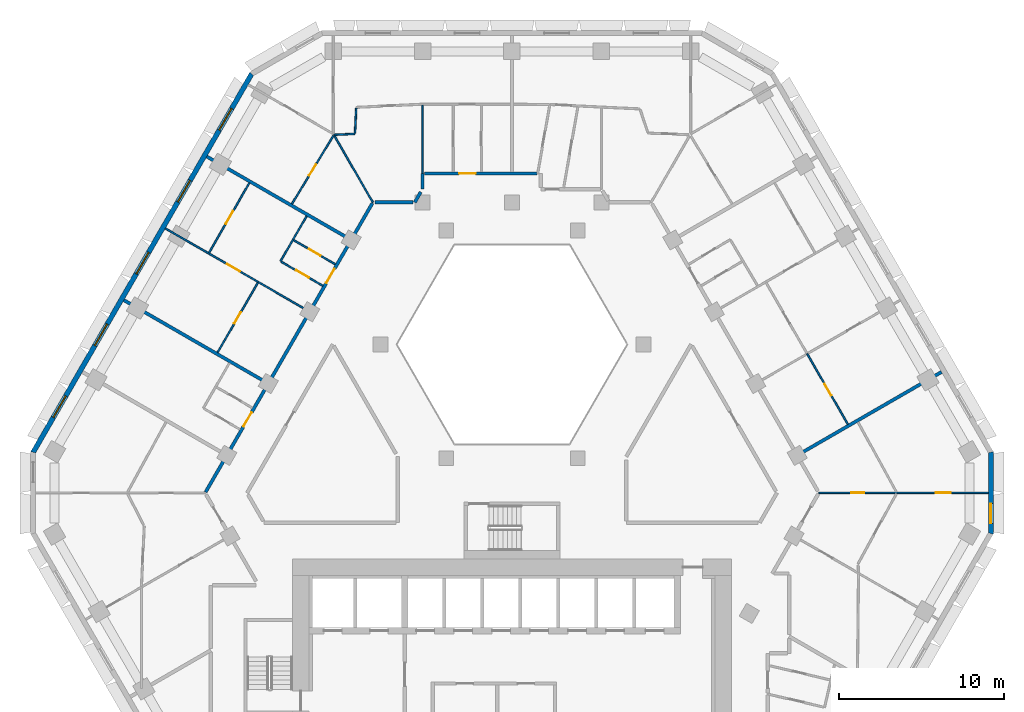
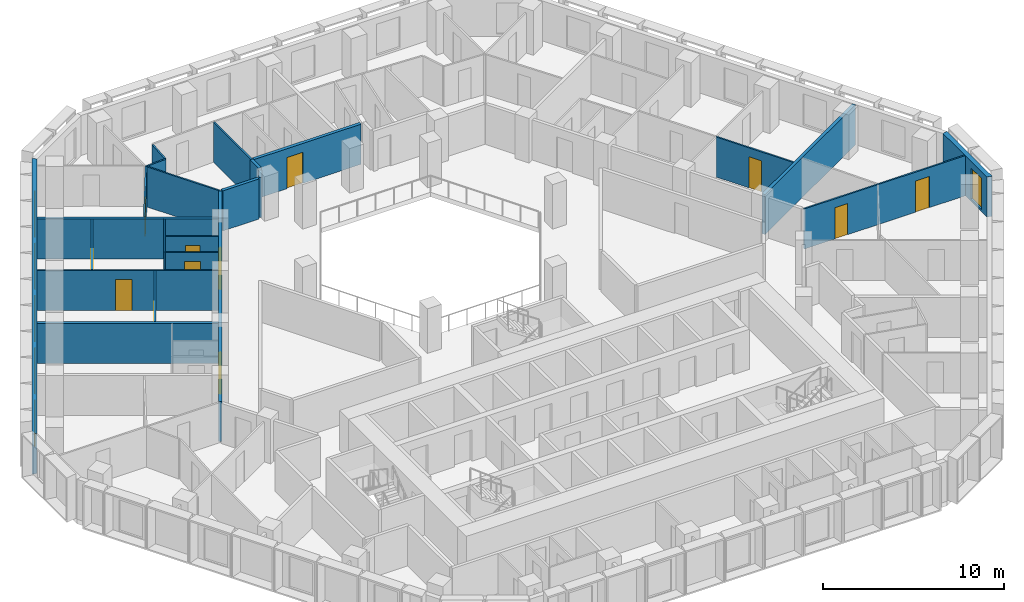
# One storey, part 7 of 15: 23 walls, 12 doors, 6 windows, 18 openings.
"""IFC4 building model written with IfcOpenShell, lengths in metres."""

import ifcopenshell
import ifcopenshell.guid

model = None  # the IFC model being written
_history = None  # IfcOwnerHistory: only IFC2X3 demands one
_inside = {}  # id of a spatial element -> (the spatial element, [elements in it])
_under = {}  # id of a project, library or spatial element -> (it, [spatial elements below it])
_declared = {}  # id of a project -> (the project, [libraries it declares])
_typed = {}  # id of a type object -> (the type object, [elements of that type])
_made_of = {}  # id of a material, layer set ... -> (it, [elements and type objects made of it])


def new_model(schema):
    """Start an empty IFC model of exactly this schema.

    Asked for "IFC4X3", IfcOpenShell would pick the latest addendum, in which some entities
    have other attributes; the version numbers below select the first issue.
    IFC2X3 requires an IfcOwnerHistory on every rooted entity: one is made here for all.
    """
    global model, _history
    if schema == "IFC4X3":
        model = ifcopenshell.file(schema_version=(4, 3, 0, 0))
    else:
        model = ifcopenshell.file(schema=schema)
    _inside.clear()
    _under.clear()
    _declared.clear()
    _typed.clear()
    _made_of.clear()
    _history = None
    if model.schema == "IFC2X3":
        org = make("IfcOrganization", Name="unknown")
        user = make(
            "IfcPersonAndOrganization",
            ThePerson=make("IfcPerson", FamilyName="unknown"),
            TheOrganization=org,
        )
        app = make(
            "IfcApplication",
            ApplicationDeveloper=org,
            Version="unknown",
            ApplicationFullName="unknown",
            ApplicationIdentifier="unknown",
        )
        _history = make(
            "IfcOwnerHistory",
            OwningUser=user,
            OwningApplication=app,
            ChangeAction="ADDED",
            CreationDate=0,
        )
    return model


def make(cls, **values):
    """One entity of the class cls with the attributes given. An attribute that is None is left unset."""
    return model.create_entity(
        cls, **{name: value for name, value in values.items() if value is not None}
    )


def rooted(cls, **values):
    """An entity with a GlobalId (a new one), such as an element, a storey or a relation."""
    return make(cls, GlobalId=ifcopenshell.guid.new(), OwnerHistory=_history, **values)


def si_unit(unit_type, name, prefix=None):
    """IfcSIUnit, for example si_unit("LENGTHUNIT", "METRE", prefix="MILLI")."""
    return make("IfcSIUnit", UnitType=unit_type, Prefix=prefix, Name=name)


def assignment(units):
    """IfcUnitAssignment: the units of a project."""
    return None if units is None else make("IfcUnitAssignment", Units=units)


def point(xyz):
    """IfcCartesianPoint."""
    return None if xyz is None else make("IfcCartesianPoint", Coordinates=xyz)


def direction(xyz):
    """IfcDirection."""
    return None if xyz is None else make("IfcDirection", DirectionRatios=xyz)


def frame(location, z_axis=None, x_axis=None):
    """IfcAxis2Placement3D, a coordinate frame: its origin and axes. An axis left out is left unset."""
    return make(
        "IfcAxis2Placement3D",
        Location=point(location),
        Axis=direction(z_axis),
        RefDirection=direction(x_axis),
    )


def frame_2d(location, x_axis=None):
    """IfcAxis2Placement2D, a coordinate frame in the plane: its origin and x axis."""
    return make(
        "IfcAxis2Placement2D", Location=point(location), RefDirection=direction(x_axis)
    )


def origin():
    """The frame at (0, 0, 0) with its axes left unset."""
    return frame((0.0, 0.0, 0.0))


def place(relative_to, where):
    """IfcLocalPlacement: puts the frame where relative to a parent placement (None: the world)."""
    return make(
        "IfcLocalPlacement", PlacementRelTo=relative_to, RelativePlacement=where
    )


def context(
    kind, dimensions, precision=None, world=None, true_north=None, identifier=None
):
    """IfcGeometricRepresentationContext, for example the 3D "Model" context."""
    return make(
        "IfcGeometricRepresentationContext",
        ContextIdentifier=identifier,
        ContextType=kind,
        CoordinateSpaceDimension=dimensions,
        Precision=precision,
        WorldCoordinateSystem=world,
        TrueNorth=true_north,
    )


def subcontext(parent, identifier, kind, view, scale=None):
    """IfcGeometricRepresentationSubContext, for example "Body" below "Model"."""
    return make(
        "IfcGeometricRepresentationSubContext",
        ContextIdentifier=identifier,
        ContextType=kind,
        ParentContext=parent,
        TargetScale=scale,
        TargetView=view,
    )


def project(units=None, contexts=None):
    """IfcProject with its units and contexts."""
    return rooted(
        "IfcProject",
        Name="project",
        RepresentationContexts=contexts,
        UnitsInContext=assignment(units),
    )


def spatial(cls, under=None, at=None, **own):
    """A site, building, storey or space (cls), placed at a placement, below another one or the project."""
    s = rooted(cls, ObjectPlacement=at, **own)
    if under is not None:
        _under.setdefault(under.id(), (under, []))[1].append(s)
    return s


def polyline(points):
    """IfcPolyline through the points."""
    return make("IfcPolyline", Points=[point(p) for p in points])


def profile(cls, at=None, kind="AREA", **sizes):
    """A parametric profile (cls). Its sizes go by their IFC names, for example OverallWidth=200.0."""
    return make(cls, ProfileType=kind, Position=at, **sizes)


def rectangle(**sizes):
    """IfcRectangleProfileDef."""
    return profile("IfcRectangleProfileDef", **sizes)


def outline(outer, holes=None, kind="AREA"):
    """IfcArbitraryClosedProfileDef: a profile drawn as a closed curve; with holes, ...WithVoids."""
    if holes is None:
        return make("IfcArbitraryClosedProfileDef", ProfileType=kind, OuterCurve=outer)
    return make(
        "IfcArbitraryProfileDefWithVoids",
        ProfileType=kind,
        OuterCurve=outer,
        InnerCurves=holes,
    )


def extrude(swept, where, along, depth):
    """IfcExtrudedAreaSolid: the profile swept, set in the frame where, extruded along a direction by depth."""
    return make(
        "IfcExtrudedAreaSolid",
        SweptArea=swept,
        Position=where,
        ExtrudedDirection=direction(along),
        Depth=depth,
    )


def shape(context_of_items, identifier, shape_type, items):
    """IfcShapeRepresentation: the items that make up one representation, for example the "Body"."""
    return make(
        "IfcShapeRepresentation",
        ContextOfItems=context_of_items,
        RepresentationIdentifier=identifier,
        RepresentationType=shape_type,
        Items=items,
    )


def material(Name=None, Category=None):
    """IfcMaterial."""
    return make("IfcMaterial", Name=Name, Category=Category)


def layer(
    of_material, thickness, ventilated=None, Name=None, Category=None, Priority=None
):
    """IfcMaterialLayer: one layer of a wall or slab, of a material (None: an air gap)."""
    return make(
        "IfcMaterialLayer",
        Material=of_material,
        LayerThickness=thickness,
        IsVentilated=ventilated,
        Name=Name,
        Category=Category,
        Priority=Priority,
    )


def layer_set(layers, Name=None):
    """IfcMaterialLayerSet."""
    return make("IfcMaterialLayerSet", MaterialLayers=layers, LayerSetName=Name)


def made_of(thing, what):
    """Note that an element or type object is made of a material, layer set ...; save() writes the relation."""
    if what is not None:
        _made_of.setdefault(what.id(), (what, []))[1].append(thing)
    return thing


def type_object(cls, material=None, **own):
    """A type object (cls), such as IfcWallType, which elements share."""
    return made_of(rooted(cls, **own), material)


def element(
    cls,
    number,
    at=None,
    inside=None,
    cuts=None,
    type_object=None,
    material=None,
    context=None,
    identifier="Body",
    shape_type=None,
    held_by="IfcProductDefinitionShape",
    body=None,
    shapes=None,
    **own,
):
    """One element of the class cls, such as IfcWall. Its Tag is "e" and its number.

    at: its placement. inside: the storey or other place that contains it. cuts: it is an
    opening in that element (IfcRelVoidsElement). A single representation is given by context,
    identifier, shape_type and body (its items); several are given by shapes. held_by: the class
    of the entity that holds the representations. save() writes the other relations.
    """
    e = rooted(cls, Tag="e%d" % number, ObjectPlacement=at, **own)
    if body is not None:
        shapes = [shape(context, identifier, shape_type, body)]
    if shapes is not None:
        e.Representation = make(held_by, Representations=shapes)
    if inside is not None:
        _inside.setdefault(inside.id(), (inside, []))[1].append(e)
    if cuts is not None:
        rooted(
            "IfcRelVoidsElement", RelatingBuildingElement=cuts, RelatedOpeningElement=e
        )
    if type_object is not None:
        _typed.setdefault(type_object.id(), (type_object, []))[1].append(e)
    return made_of(e, material)


def fill(opening, filler):
    """IfcRelFillsElement: the door or window that sits in an opening."""
    return rooted(
        "IfcRelFillsElement",
        RelatingOpeningElement=opening,
        RelatedBuildingElement=filler,
    )


def aggregate(whole, parts):
    """IfcRelAggregates: a whole, such as a stair, and the parts it consists of."""
    return rooted("IfcRelAggregates", RelatingObject=whole, RelatedObjects=parts)


def save(model, path):
    """Write the relations noted so far, then the file.

    IfcRelAggregates (storeys below a building ...), IfcRelContainedInSpatialStructure (elements
    in a storey), IfcRelDefinesByType, IfcRelAssociatesMaterial and IfcRelDeclares: one each for
    every whole, place, type object, material and project.
    """
    for whole, parts in _under.values():
        aggregate(whole, parts)
    for where, things in _inside.values():
        rooted(
            "IfcRelContainedInSpatialStructure",
            RelatedElements=things,
            RelatingStructure=where,
        )
    for kind, things in _typed.values():
        rooted("IfcRelDefinesByType", RelatedObjects=things, RelatingType=kind)
    for what, things in _made_of.values():
        rooted("IfcRelAssociatesMaterial", RelatedObjects=things, RelatingMaterial=what)
    for by, libraries in _declared.values():
        rooted("IfcRelDeclares", RelatingContext=by, RelatedDefinitions=libraries)
    model.write(path)


model = new_model("IFC4")

# Units and contexts
model_context = context("Model", 3, precision=1e-05, world=origin(), true_north=direction((0.0, 1.0)))
body_context = subcontext(model_context, "Body", "Model", "MODEL_VIEW")
ifc_project = project(units=[si_unit("LENGTHUNIT", "METRE"), si_unit("AREAUNIT", "SQUARE_METRE"), si_unit("VOLUMEUNIT", "CUBIC_METRE"), si_unit("PLANEANGLEUNIT", "RADIAN"), si_unit("MASSUNIT", "GRAM", prefix="KILO")], contexts=[model_context])

# Site, building, storey
site_placement = place(None, origin())
site = spatial("IfcSite", under=ifc_project, at=site_placement, CompositionType="ELEMENT")
building_placement = place(site_placement, origin())
building = spatial("IfcBuilding", under=site, at=building_placement, Name="Beryl Residences", CompositionType="ELEMENT")
storey_placement = place(building_placement, frame((0.0, 0.0, 78.0)))
storey = spatial("IfcBuildingStorey", under=building, at=storey_placement, Name="L23", CompositionType="ELEMENT", Elevation=78.0)

# Wall, openings, windows
ifc_material_1 = material(Name="Composite metal panel with mineral wool insulation")
ifc_layer_1 = layer(ifc_material_1, 0.300048828125)
ifc_layer_set_1 = layer_set([ifc_layer_1], Name="ES1 pale metal composite panel wall 300 mm")
wall_type_1 = type_object("IfcWallType", Name="ES1 pale metal composite panel wall 300 mm", PredefinedType="SOLIDWALL", material=ifc_layer_set_1)
wall_1_placement = place(storey_placement, frame((-15.7470703125, 24.425048828125, 0.0), z_axis=(0.0, 0.0, 1.0), x_axis=(-0.500027479704, -0.866009537788, 0.0)))
wall_1 = element("IfcWall", 1, at=wall_1_placement, inside=storey, type_object=wall_type_1, Name="ES1 external wall L23 NW", PredefinedType="SOLIDWALL", context=body_context, shape_type="SweptSolid", body=[
    extrude(outline(polyline([(0.0, -0.14990234375), (26.55859375, -0.14990234375), (26.478271484375, 0.14990234375), (0.080322265625, 0.14990234375), (0.0, -0.14990234375)])), origin(), (0.0, 0.0, 1.0), 2.699951171875),
])
opening_1_placement = place(wall_1_placement, frame((2.48291015625, 0.0, 0.14990234375)))
opening_1 = element("IfcOpeningElement", 2, at=opening_1_placement, cuts=wall_1, Name="Opening W1", PredefinedType="OPENING", context=body_context, shape_type="SweptSolid", body=[
    extrude(rectangle(XDim=1.5, YDim=2.10009765625, at=frame_2d((0.75, 1.050048828125))), frame((0.0, 0.159912109375, 0.0), z_axis=(0.0, -1.0, 0.0), x_axis=(1.0, 0.0, 0.0)), (0.0, 0.0, 1.0), 0.320068359375),
])
opening_2_placement = place(wall_1_placement, frame((7.506103515625, 0.0, 0.14990234375)))
opening_2 = element("IfcOpeningElement", 3, at=opening_2_placement, cuts=wall_1, Name="Opening W1", PredefinedType="OPENING", context=body_context, shape_type="SweptSolid", body=[
    extrude(rectangle(XDim=1.5, YDim=2.10009765625, at=frame_2d((0.75, 1.050048828125))), frame((0.0, 0.159912109375, 0.0), z_axis=(0.0, -1.0, 0.0), x_axis=(1.0, 0.0, 0.0)), (0.0, 0.0, 1.0), 0.320068359375),
])
opening_3_placement = place(wall_1_placement, frame((12.529052734375, 0.0, 0.14990234375)))
opening_3 = element("IfcOpeningElement", 4, at=opening_3_placement, cuts=wall_1, Name="Opening W1", PredefinedType="OPENING", context=body_context, shape_type="SweptSolid", body=[
    extrude(rectangle(XDim=1.5, YDim=2.10009765625, at=frame_2d((0.75, 1.050048828125))), frame((0.0, 0.159912109375, 0.0), z_axis=(0.0, -1.0, 0.0), x_axis=(1.0, 0.0, 0.0)), (0.0, 0.0, 1.0), 0.320068359375),
])
opening_4_placement = place(wall_1_placement, frame((17.552001953125, 0.0, 0.14990234375)))
opening_4 = element("IfcOpeningElement", 5, at=opening_4_placement, cuts=wall_1, Name="Opening W1", PredefinedType="OPENING", context=body_context, shape_type="SweptSolid", body=[
    extrude(rectangle(XDim=1.5, YDim=2.10009765625, at=frame_2d((0.75, 1.050048828125))), frame((0.0, 0.159912109375, 0.0), z_axis=(0.0, -1.0, 0.0), x_axis=(1.0, 0.0, 0.0)), (0.0, 0.0, 1.0), 0.320068359375),
])
opening_5_placement = place(wall_1_placement, frame((22.574951171875, 0.0, 0.14990234375)))
opening_5 = element("IfcOpeningElement", 6, at=opening_5_placement, cuts=wall_1, Name="Opening W1", PredefinedType="OPENING", context=body_context, shape_type="SweptSolid", body=[
    extrude(rectangle(XDim=1.5, YDim=2.10009765625, at=frame_2d((0.75, 1.050048828125))), frame((0.0, 0.159912109375, 0.0), z_axis=(0.0, -1.0, 0.0), x_axis=(1.0, 0.0, 0.0)), (0.0, 0.0, 1.0), 0.320068359375),
])
ifc_material_2 = material(Name="Aluminium and clear glass", Category="aluminium")
window_type_1 = type_object("IfcWindowType", Name="W1 cell window 1500 x 2100 mm", PartitioningType="SINGLE_PANEL", PredefinedType="WINDOW", material=ifc_material_2)
window_1_placement = place(opening_1_placement, origin())
window_1 = element("IfcWindow", 7, at=window_1_placement, inside=storey, type_object=window_type_1, Name="W1 window L23 NW 2", OverallHeight=2.10009765625, OverallWidth=1.5, PartitioningType="SINGLE_PANEL", PredefinedType="WINDOW", context=body_context, shape_type="SweptSolid", body=[
    extrude(rectangle(XDim=1.5, YDim=2.10009765625, at=frame_2d((0.75, 1.050048828125))), frame((0.0, 0.030029296875, 0.0), z_axis=(0.0, -1.0, 0.0), x_axis=(1.0, 0.0, 0.0)), (0.0, 0.0, 1.0), 0.06005859375),
])
fill(opening_1, window_1)
window_2_placement = place(opening_2_placement, origin())
window_2 = element("IfcWindow", 8, at=window_2_placement, inside=storey, type_object=window_type_1, Name="W1 window L23 NW 4", OverallHeight=2.10009765625, OverallWidth=1.5, PartitioningType="SINGLE_PANEL", PredefinedType="WINDOW", context=body_context, shape_type="SweptSolid", body=[
    extrude(rectangle(XDim=1.5, YDim=2.10009765625, at=frame_2d((0.75, 1.050048828125))), frame((0.0, 0.030029296875, 0.0), z_axis=(0.0, -1.0, 0.0), x_axis=(1.0, 0.0, 0.0)), (0.0, 0.0, 1.0), 0.06005859375),
])
fill(opening_2, window_2)
window_3_placement = place(opening_3_placement, origin())
window_3 = element("IfcWindow", 9, at=window_3_placement, inside=storey, type_object=window_type_1, Name="W1 window L23 NW 6", OverallHeight=2.10009765625, OverallWidth=1.5, PartitioningType="SINGLE_PANEL", PredefinedType="WINDOW", context=body_context, shape_type="SweptSolid", body=[
    extrude(rectangle(XDim=1.5, YDim=2.10009765625, at=frame_2d((0.75, 1.050048828125))), frame((0.0, 0.030029296875, 0.0), z_axis=(0.0, -1.0, 0.0), x_axis=(1.0, 0.0, 0.0)), (0.0, 0.0, 1.0), 0.06005859375),
])
fill(opening_3, window_3)
window_4_placement = place(opening_4_placement, origin())
window_4 = element("IfcWindow", 10, at=window_4_placement, inside=storey, type_object=window_type_1, Name="W1 window L23 NW 8", OverallHeight=2.10009765625, OverallWidth=1.5, PartitioningType="SINGLE_PANEL", PredefinedType="WINDOW", context=body_context, shape_type="SweptSolid", body=[
    extrude(rectangle(XDim=1.5, YDim=2.10009765625, at=frame_2d((0.75, 1.050048828125))), frame((0.0, 0.030029296875, 0.0), z_axis=(0.0, -1.0, 0.0), x_axis=(1.0, 0.0, 0.0)), (0.0, 0.0, 1.0), 0.06005859375),
])
fill(opening_4, window_4)
window_5_placement = place(opening_5_placement, origin())
window_5 = element("IfcWindow", 11, at=window_5_placement, inside=storey, type_object=window_type_1, Name="W1 window L23 NW 10", OverallHeight=2.10009765625, OverallWidth=1.5, PartitioningType="SINGLE_PANEL", PredefinedType="WINDOW", context=body_context, shape_type="SweptSolid", body=[
    extrude(rectangle(XDim=1.5, YDim=2.10009765625, at=frame_2d((0.75, 1.050048828125))), frame((0.0, 0.030029296875, 0.0), z_axis=(0.0, -1.0, 0.0), x_axis=(1.0, 0.0, 0.0)), (0.0, 0.0, 1.0), 0.06005859375),
])
fill(opening_5, window_5)

# Wall, opening, window
wall_2_placement = place(storey_placement, frame((29.007080078125, -3.5, 0.0), z_axis=(0.0, 0.0, 1.0), x_axis=(0.0, 1.0, 0.0)))
wall_2 = element("IfcWall", 12, at=wall_2_placement, inside=storey, type_object=wall_type_1, Name="ES1 external wall L23 SE-NE", PredefinedType="SOLIDWALL", context=body_context, shape_type="SweptSolid", body=[
    extrude(outline(polyline([(0.0, -0.14990234375), (5.0, -0.14990234375), (4.919677734375, 0.14990234375), (0.080322265625, 0.14990234375), (0.0, -0.14990234375)])), origin(), (0.0, 0.0, 1.0), 2.699951171875),
])
opening_6_placement = place(wall_2_placement, frame((0.64990234375, 0.0, 0.14990234375)))
opening_6 = element("IfcOpeningElement", 13, at=opening_6_placement, cuts=wall_2, Name="Opening W2", PredefinedType="OPENING", context=body_context, shape_type="SweptSolid", body=[
    extrude(rectangle(XDim=1.199951171875, YDim=2.10009765625, at=frame_2d((0.60009765625, 1.050048828125))), frame((0.0, 0.159912109375, 0.0), z_axis=(0.0, -1.0, 0.0), x_axis=(1.0, 0.0, 0.0)), (0.0, 0.0, 1.0), 0.320068359375),
])
ifc_material_3 = material(Name="Aluminium and clear glass", Category="aluminium")
window_type_2 = type_object("IfcWindowType", Name="W2 chamfer window 1200 x 2100 mm", PartitioningType="SINGLE_PANEL", PredefinedType="WINDOW", material=ifc_material_3)
window_6_placement = place(opening_6_placement, origin())
window_6 = element("IfcWindow", 14, at=window_6_placement, inside=storey, type_object=window_type_2, Name="W2 window L23 SE-NE 1", OverallHeight=2.10009765625, OverallWidth=1.199951171875, PartitioningType="SINGLE_PANEL", PredefinedType="WINDOW", context=body_context, shape_type="SweptSolid", body=[
    extrude(rectangle(XDim=1.199951171875, YDim=2.10009765625, at=frame_2d((0.60009765625, 1.050048828125))), frame((0.0, 0.030029296875, 0.0), z_axis=(0.0, -1.0, 0.0), x_axis=(1.0, 0.0, 0.0)), (0.0, 0.0, 1.0), 0.06005859375),
])
fill(opening_6, window_6)

# Wall
ifc_material_4 = material(Name="Gypsum board partition on steel studs", Category="steel")
ifc_layer_2 = layer(ifc_material_4, 0.10009765625)
ifc_layer_set_2 = layer_set([ifc_layer_2], Name="PT1 partition 100 mm gypsum board on steel studs")
wall_type_2 = type_object("IfcWallType", Name="PT1 partition 100 mm gypsum board on steel studs", PredefinedType="PARTITIONING", material=ifc_layer_set_2)
wall_3_placement = place(storey_placement, frame((-10.741943359375, 20.60595703125, 0.0), z_axis=(0.0, 0.0, 1.0), x_axis=(0.50003312339, -0.866006279142, 0.0)))
element("IfcWall", 15, at=wall_3_placement, inside=storey, type_object=wall_type_2, Name="Wall PT1 L23 005", PredefinedType="PARTITIONING", context=body_context, shape_type="SweptSolid", body=[
    extrude(rectangle(XDim=4.625732421875, YDim=0.10009765625, at=frame_2d((2.31298828125, 0.0))), origin(), (0.0, 0.0, 1.0), 2.699951171875),
])

# Wall, opening, door
wall_4_placement = place(storey_placement, frame((-13.98095703125, 13.001953125, 0.0), z_axis=(0.0, 0.0, 1.0), x_axis=(0.86595634977, -0.500119585993, 0.0)))
wall_4 = element("IfcWall", 16, at=wall_4_placement, inside=storey, type_object=wall_type_2, Name="Wall PT1 L23 022", PredefinedType="PARTITIONING", context=body_context, shape_type="SweptSolid", body=[
    extrude(rectangle(XDim=2.908935546875, YDim=0.10009765625, at=frame_2d((1.45458984375, 0.0))), origin(), (0.0, 0.0, 1.0), 2.699951171875),
])
opening_7_placement = place(wall_4_placement, frame((1.029052734375, 0.0, 0.0)))
opening_7 = element("IfcOpeningElement", 17, at=opening_7_placement, cuts=wall_4, Name="Opening D0832", PredefinedType="OPENING", context=body_context, shape_type="SweptSolid", body=[
    extrude(rectangle(XDim=0.89990234375, YDim=2.10009765625, at=frame_2d((0.449951171875, 1.050048828125))), frame((0.0, 0.06005859375, 0.0), z_axis=(0.0, -1.0, 0.0), x_axis=(1.0, 0.0, 0.0)), (0.0, 0.0, 1.0), 0.1201171875),
])
ifc_material_5 = material(Name="Timber door leaf", Category="wood")
door_type_1 = type_object("IfcDoorType", Name="D2 room door 900 x 2100 mm", OperationType="SINGLE_SWING_LEFT", PredefinedType="DOOR", material=ifc_material_5)
door_1_placement = place(opening_7_placement, origin())
door_1 = element("IfcDoor", 18, at=door_1_placement, inside=storey, type_object=door_type_1, Name="Door D0832 L23 001", OperationType="SINGLE_SWING_RIGHT", OverallHeight=2.10009765625, OverallWidth=0.89990234375, PredefinedType="DOOR", context=body_context, shape_type="SweptSolid", body=[
    extrude(rectangle(XDim=0.89990234375, YDim=2.10009765625, at=frame_2d((0.449951171875, 1.050048828125))), frame((0.0, 0.02490234375, 0.0), z_axis=(0.0, -1.0, 0.0), x_axis=(1.0, 0.0, 0.0)), (0.0, 0.0, 1.0), 0.050048828125),
])
fill(opening_7, door_1)

wall_5_placement = place(storey_placement, frame((-13.22802734375, 14.30810546875, 0.0), z_axis=(0.0, 0.0, 1.0), x_axis=(0.866003949776, -0.500037157592, 0.0)))
wall_5 = element("IfcWall", 19, at=wall_5_placement, inside=storey, type_object=wall_type_2, Name="Wall PT1 L23 024", PredefinedType="PARTITIONING", context=body_context, shape_type="SweptSolid", body=[
    extrude(rectangle(XDim=2.909912109375, YDim=0.10009765625, at=frame_2d((1.455078125, 0.0))), origin(), (0.0, 0.0, 1.0), 2.699951171875),
])
opening_8_placement = place(wall_5_placement, frame((1.080078125, 0.0, 0.0)))
opening_8 = element("IfcOpeningElement", 20, at=opening_8_placement, cuts=wall_5, Name="Opening D0833", PredefinedType="OPENING", context=body_context, shape_type="SweptSolid", body=[
    extrude(rectangle(XDim=0.800048828125, YDim=2.10009765625, at=frame_2d((0.39990234375, 1.050048828125))), frame((0.0, 0.06005859375, 0.0), z_axis=(0.0, -1.0, 0.0), x_axis=(1.0, 0.0, 0.0)), (0.0, 0.0, 1.0), 0.1201171875),
])
ifc_material_6 = material(Name="Timber door leaf", Category="wood")
door_type_2 = type_object("IfcDoorType", Name="D3 bathroom door 800 x 2100 mm", OperationType="SINGLE_SWING_LEFT", PredefinedType="DOOR", material=ifc_material_6)
door_2_placement = place(opening_8_placement, origin())
door_2 = element("IfcDoor", 21, at=door_2_placement, inside=storey, type_object=door_type_2, Name="Door D0833 L23 001", OperationType="SINGLE_SWING_LEFT", OverallHeight=2.10009765625, OverallWidth=0.800048828125, PredefinedType="DOOR", context=body_context, shape_type="SweptSolid", body=[
    extrude(rectangle(XDim=0.800048828125, YDim=2.10009765625, at=frame_2d((0.39990234375, 1.050048828125))), frame((0.0, 0.02490234375, 0.0), z_axis=(0.0, -1.0, 0.0), x_axis=(1.0, 0.0, 0.0)), (0.0, 0.0, 1.0), 0.050048828125),
])
fill(opening_8, door_2)

wall_6_placement = place(storey_placement, frame((-21.0009765625, 15.02490234375, 0.0), z_axis=(0.0, 0.0, 1.0), x_axis=(0.866016855193, -0.500014806302, 0.0)))
wall_6 = element("IfcWall", 22, at=wall_6_placement, inside=storey, type_object=wall_type_2, Name="Wall PT1 L23 026", PredefinedType="PARTITIONING", context=body_context, shape_type="SweptSolid", body=[
    extrude(rectangle(XDim=9.999755859375, YDim=0.10009765625, at=frame_2d((5.0, 0.0))), origin(), (0.0, 0.0, 1.0), 2.699951171875),
])
opening_9_placement = place(wall_6_placement, frame((4.324951171875, 0.0, 0.0)))
opening_9 = element("IfcOpeningElement", 23, at=opening_9_placement, cuts=wall_6, Name="Opening D0835", PredefinedType="OPENING", context=body_context, shape_type="SweptSolid", body=[
    extrude(rectangle(XDim=0.89990234375, YDim=2.10009765625, at=frame_2d((0.449951171875, 1.050048828125))), frame((0.0, 0.06005859375, 0.0), z_axis=(0.0, -1.0, 0.0), x_axis=(1.0, 0.0, 0.0)), (0.0, 0.0, 1.0), 0.1201171875),
])
door_3_placement = place(opening_9_placement, origin())
door_3 = element("IfcDoor", 24, at=door_3_placement, inside=storey, type_object=door_type_1, Name="Door D0835 L23 001", OperationType="SINGLE_SWING_LEFT", OverallHeight=2.10009765625, OverallWidth=0.89990234375, PredefinedType="DOOR", context=body_context, shape_type="SweptSolid", body=[
    extrude(rectangle(XDim=0.89990234375, YDim=2.10009765625, at=frame_2d((0.449951171875, 1.050048828125))), frame((0.0, 0.02490234375, 0.0), z_axis=(0.0, -1.0, 0.0), x_axis=(1.0, 0.0, 0.0)), (0.0, 0.0, 1.0), 0.050048828125),
])
fill(opening_9, door_3)

# Wall, openings, doors
wall_7_placement = place(storey_placement, frame((18.591064453125, -0.9990234375, 0.0), z_axis=(0.0, 0.0, 1.0), x_axis=(1.0, 0.0, 0.0)))
wall_7 = element("IfcWall", 25, at=wall_7_placement, inside=storey, type_object=wall_type_2, Name="Wall PT1 L23 028", PredefinedType="PARTITIONING", context=body_context, shape_type="SweptSolid", body=[
    extrude(rectangle(XDim=10.265869140625, YDim=0.10009765625, at=frame_2d((5.1328125, 0.0))), origin(), (0.0, 0.0, 1.0), 2.699951171875),
])
opening_10_placement = place(wall_7_placement, frame((1.962890625, 0.0, 0.0)))
opening_10 = element("IfcOpeningElement", 26, at=opening_10_placement, cuts=wall_7, Name="Opening D0803", PredefinedType="OPENING", context=body_context, shape_type="SweptSolid", body=[
    extrude(rectangle(XDim=0.800048828125, YDim=2.10009765625, at=frame_2d((0.39990234375, 1.050048828125))), frame((0.0, 0.06005859375, 0.0), z_axis=(0.0, -1.0, 0.0), x_axis=(1.0, 0.0, 0.0)), (0.0, 0.0, 1.0), 0.1201171875),
])
opening_11_placement = place(wall_7_placement, frame((7.0791015625, 0.0, 0.0)))
opening_11 = element("IfcOpeningElement", 27, at=opening_11_placement, cuts=wall_7, Name="Opening D0806", PredefinedType="OPENING", context=body_context, shape_type="SweptSolid", body=[
    extrude(rectangle(XDim=0.89990234375, YDim=2.10009765625, at=frame_2d((0.449951171875, 1.050048828125))), frame((0.0, 0.06005859375, 0.0), z_axis=(0.0, -1.0, 0.0), x_axis=(1.0, 0.0, 0.0)), (0.0, 0.0, 1.0), 0.1201171875),
])
door_4_placement = place(opening_11_placement, origin())
door_4 = element("IfcDoor", 28, at=door_4_placement, inside=storey, type_object=door_type_1, Name="Door D0806 L23 001", OperationType="SINGLE_SWING_RIGHT", OverallHeight=2.10009765625, OverallWidth=0.89990234375, PredefinedType="DOOR", context=body_context, shape_type="SweptSolid", body=[
    extrude(rectangle(XDim=0.89990234375, YDim=2.10009765625, at=frame_2d((0.449951171875, 1.050048828125))), frame((0.0, 0.02490234375, 0.0), z_axis=(0.0, -1.0, 0.0), x_axis=(1.0, 0.0, 0.0)), (0.0, 0.0, 1.0), 0.050048828125),
])
fill(opening_11, door_4)
door_5_placement = place(opening_10_placement, origin())
door_5 = element("IfcDoor", 29, at=door_5_placement, inside=storey, type_object=door_type_2, Name="Door D0803 L23 001", OperationType="SINGLE_SWING_LEFT", OverallHeight=2.10009765625, OverallWidth=0.800048828125, PredefinedType="DOOR", context=body_context, shape_type="SweptSolid", body=[
    extrude(rectangle(XDim=0.800048828125, YDim=2.10009765625, at=frame_2d((0.39990234375, 1.050048828125))), frame((0.0, 0.02490234375, 0.0), z_axis=(0.0, -1.0, 0.0), x_axis=(1.0, 0.0, 0.0)), (0.0, 0.0, 1.0), 0.050048828125),
])
fill(opening_10, door_5)

# Wall, opening, door
wall_8_placement = place(storey_placement, frame((-13.327880859375, 16.510986328125, 0.0), z_axis=(0.0, 0.0, 1.0), x_axis=(0.518570528669, 0.855034857065, 0.0)))
wall_8 = element("IfcWall", 30, at=wall_8_placement, inside=storey, type_object=wall_type_2, Name="Wall PT1 L23 033", PredefinedType="PARTITIONING", context=body_context, shape_type="SweptSolid", body=[
    extrude(rectangle(XDim=4.830322265625, YDim=0.10009765625, at=frame_2d((2.4150390625, 0.0))), origin(), (0.0, 0.0, 1.0), 2.699951171875),
])
opening_12_placement = place(wall_8_placement, frame((1.9951171875, 0.0, 0.0)))
opening_12 = element("IfcOpeningElement", 31, at=opening_12_placement, cuts=wall_8, Name="Opening D0830", PredefinedType="OPENING", context=body_context, shape_type="SweptSolid", body=[
    extrude(rectangle(XDim=0.800048828125, YDim=2.10009765625, at=frame_2d((0.39990234375, 1.050048828125))), frame((0.0, 0.06005859375, 0.0), z_axis=(0.0, -1.0, 0.0), x_axis=(1.0, 0.0, 0.0)), (0.0, 0.0, 1.0), 0.1201171875),
])
door_6_placement = place(opening_12_placement, origin())
door_6 = element("IfcDoor", 32, at=door_6_placement, inside=storey, type_object=door_type_2, Name="Door D0830 L23 001", OperationType="SINGLE_SWING_RIGHT", OverallHeight=2.10009765625, OverallWidth=0.800048828125, PredefinedType="DOOR", context=body_context, shape_type="SweptSolid", body=[
    extrude(rectangle(XDim=0.800048828125, YDim=2.10009765625, at=frame_2d((0.39990234375, 1.050048828125))), frame((0.0, 0.02490234375, 0.0), z_axis=(0.0, -1.0, 0.0), x_axis=(1.0, 0.0, 0.0)), (0.0, 0.0, 1.0), 0.050048828125),
])
fill(opening_12, door_6)

# Wall
wall_9_placement = place(storey_placement, frame((-14.02490234375, 13.028076171875, 0.0), z_axis=(0.0, 0.0, 1.0), x_axis=(0.499965154568, 0.866045520869, 0.0)))
element("IfcWall", 33, at=wall_9_placement, inside=storey, type_object=wall_type_2, Name="Wall PT1 L23 036", PredefinedType="PARTITIONING", context=body_context, shape_type="SweptSolid", body=[
    extrude(rectangle(XDim=3.163818359375, YDim=0.10009765625, at=frame_2d((1.58203125, 0.0))), origin(), (0.0, 0.0, 1.0), 2.699951171875),
])

# Wall, opening, door
wall_10_placement = place(storey_placement, frame((-17.833984375, 7.511962890625, 0.0), z_axis=(0.0, 0.0, 1.0), x_axis=(0.500093956194, 0.865971151354, 0.0)))
wall_10 = element("IfcWall", 34, at=wall_10_placement, inside=storey, type_object=wall_type_2, Name="Wall PT1 L23 037", PredefinedType="PARTITIONING", context=body_context, shape_type="SweptSolid", body=[
    extrude(rectangle(XDim=4.873046875, YDim=0.10009765625, at=frame_2d((2.4365234375, 0.0))), origin(), (0.0, 0.0, 1.0), 2.699951171875),
])
opening_13_placement = place(wall_10_placement, frame((2.011962890625, 0.0, 0.0)))
opening_13 = element("IfcOpeningElement", 35, at=opening_13_placement, cuts=wall_10, Name="Opening D0836", PredefinedType="OPENING", context=body_context, shape_type="SweptSolid", body=[
    extrude(rectangle(XDim=0.800048828125, YDim=2.10009765625, at=frame_2d((0.39990234375, 1.050048828125))), frame((0.0, 0.06005859375, 0.0), z_axis=(0.0, -1.0, 0.0), x_axis=(1.0, 0.0, 0.0)), (0.0, 0.0, 1.0), 0.1201171875),
])
door_7_placement = place(opening_13_placement, origin())
door_7 = element("IfcDoor", 36, at=door_7_placement, inside=storey, type_object=door_type_2, Name="Door D0836 L23 001", OperationType="SINGLE_SWING_RIGHT", OverallHeight=2.10009765625, OverallWidth=0.800048828125, PredefinedType="DOOR", context=body_context, shape_type="SweptSolid", body=[
    extrude(rectangle(XDim=0.800048828125, YDim=2.10009765625, at=frame_2d((0.39990234375, 1.050048828125))), frame((0.0, 0.02490234375, 0.0), z_axis=(0.0, -1.0, 0.0), x_axis=(1.0, 0.0, 0.0)), (0.0, 0.0, 1.0), 0.050048828125),
])
fill(opening_13, door_7)

wall_11_placement = place(storey_placement, frame((-18.35205078125, 13.552978515625, 0.0), z_axis=(0.0, 0.0, 1.0), x_axis=(0.500007182864, 0.866021256716, 0.0)))
wall_11 = element("IfcWall", 37, at=wall_11_placement, inside=storey, type_object=wall_type_2, Name="Wall PT1 L23 038", PredefinedType="PARTITIONING", context=body_context, shape_type="SweptSolid", body=[
    extrude(rectangle(XDim=4.8740234375, YDim=0.10009765625, at=frame_2d((2.43701171875, 0.0))), origin(), (0.0, 0.0, 1.0), 2.699951171875),
])
opening_14_placement = place(wall_11_placement, frame((2.011962890625, 0.0, 0.0)))
opening_14 = element("IfcOpeningElement", 38, at=opening_14_placement, cuts=wall_11, Name="Opening D0834", PredefinedType="OPENING", context=body_context, shape_type="SweptSolid", body=[
    extrude(rectangle(XDim=0.89990234375, YDim=2.10009765625, at=frame_2d((0.449951171875, 1.050048828125))), frame((0.0, 0.06005859375, 0.0), z_axis=(0.0, -1.0, 0.0), x_axis=(1.0, 0.0, 0.0)), (0.0, 0.0, 1.0), 0.1201171875),
])
door_8_placement = place(opening_14_placement, origin())
door_8 = element("IfcDoor", 39, at=door_8_placement, inside=storey, type_object=door_type_1, Name="Door D0834 L23 001", OperationType="SINGLE_SWING_RIGHT", OverallHeight=2.10009765625, OverallWidth=0.89990234375, PredefinedType="DOOR", context=body_context, shape_type="SweptSolid", body=[
    extrude(rectangle(XDim=0.89990234375, YDim=2.10009765625, at=frame_2d((0.449951171875, 1.050048828125))), frame((0.0, 0.02490234375, 0.0), z_axis=(0.0, -1.0, 0.0), x_axis=(1.0, 0.0, 0.0)), (0.0, 0.0, 1.0), 0.050048828125),
])
fill(opening_14, door_8)

# Walls
wall_12_placement = place(storey_placement, frame((-9.511962890625, 20.802978515625, 0.0), z_axis=(0.0, 0.0, 1.0), x_axis=(0.049089165168, 0.998794400196, 0.0)))
element("IfcWall", 40, at=wall_12_placement, inside=storey, type_object=wall_type_2, Name="Wall PT1 L23 044", PredefinedType="PARTITIONING", context=body_context, shape_type="SweptSolid", body=[
    extrude(rectangle(XDim=1.5068359375, YDim=0.10009765625, at=frame_2d((0.75341796875, 0.0))), origin(), (0.0, 0.0, 1.0), 2.699951171875),
])
wall_13_placement = place(storey_placement, frame((-5.4140625, 18.35009765625, 0.0), z_axis=(0.0, 0.0, 1.0), x_axis=(0.0, 1.0, 0.0)))
element("IfcWall", 41, at=wall_13_placement, inside=storey, type_object=wall_type_2, Name="Wall PT1 L23 054", PredefinedType="PARTITIONING", context=body_context, shape_type="SweptSolid", body=[
    extrude(rectangle(XDim=4.14990234375, YDim=0.10009765625, at=frame_2d((2.074951171875, 0.0))), origin(), (0.0, 0.0, 1.0), 2.699951171875),
])
wall_14_placement = place(storey_placement, frame((-10.7919921875, 20.69189453125, 0.0), z_axis=(0.0, 0.0, 1.0), x_axis=(0.998861653202, 0.04770112957, 0.0)))
element("IfcWall", 42, at=wall_14_placement, inside=storey, type_object=wall_type_2, Name="Wall PT1 L23 061", PredefinedType="PARTITIONING", context=body_context, shape_type="SweptSolid", body=[
    extrude(rectangle(XDim=1.279541015625, YDim=0.10009765625, at=frame_2d((0.6396484375, 0.0))), origin(), (0.0, 0.0, 1.0), 2.699951171875),
])

# Wall, opening, door
wall_15_placement = place(storey_placement, frame((17.884033203125, 7.425048828125, 0.0), z_axis=(0.0, 0.0, 1.0), x_axis=(0.500000007376, -0.866025399526, 0.0)))
wall_15 = element("IfcWall", 43, at=wall_15_placement, inside=storey, type_object=wall_type_2, Name="Wall PT1 L23 070", PredefinedType="PARTITIONING", context=body_context, shape_type="SweptSolid", body=[
    extrude(rectangle(XDim=4.923828125, YDim=0.10009765625, at=frame_2d((2.4619140625, 0.0))), origin(), (0.0, 0.0, 1.0), 2.699951171875),
])
opening_15_placement = place(wall_15_placement, frame((2.112060546875, 0.0, 0.0)))
opening_15 = element("IfcOpeningElement", 44, at=opening_15_placement, cuts=wall_15, Name="Opening D0813", PredefinedType="OPENING", context=body_context, shape_type="SweptSolid", body=[
    extrude(rectangle(XDim=0.800048828125, YDim=2.10009765625, at=frame_2d((0.39990234375, 1.050048828125))), frame((0.0, 0.06005859375, 0.0), z_axis=(0.0, -1.0, 0.0), x_axis=(1.0, 0.0, 0.0)), (0.0, 0.0, 1.0), 0.1201171875),
])
door_9_placement = place(opening_15_placement, origin())
door_9 = element("IfcDoor", 45, at=door_9_placement, inside=storey, type_object=door_type_2, Name="Door D0813 L23 001", OperationType="SINGLE_SWING_LEFT", OverallHeight=2.10009765625, OverallWidth=0.800048828125, PredefinedType="DOOR", context=body_context, shape_type="SweptSolid", body=[
    extrude(rectangle(XDim=0.800048828125, YDim=2.10009765625, at=frame_2d((0.39990234375, 1.050048828125))), frame((0.0, 0.02490234375, 0.0), z_axis=(0.0, -1.0, 0.0), x_axis=(1.0, 0.0, 0.0)), (0.0, 0.0, 1.0), 0.050048828125),
])
fill(opening_15, door_9)

# Walls
ifc_material_7 = material(Name="Acoustic double stud gypsum board wall")
ifc_layer_3 = layer(ifc_material_7, 0.199951171875)
ifc_layer_set_3 = layer_set([ifc_layer_3], Name="PT3 party wall 200 mm acoustic double stud")
wall_type_3 = type_object("IfcWallType", Name="PT3 party wall 200 mm acoustic double stud", PredefinedType="PARTITIONING", material=ifc_layer_set_3)
wall_16_placement = place(storey_placement, frame((-23.512939453125, 10.675048828125, 0.0), z_axis=(0.0, 0.0, 1.0), x_axis=(0.866041268327, -0.499972520799, 0.0)))
element("IfcWall", 46, at=wall_16_placement, inside=storey, type_object=wall_type_3, Name="Wall PT3 L23 005", PredefinedType="PARTITIONING", context=body_context, shape_type="SweptSolid", body=[
    extrude(rectangle(XDim=10.00048828125, YDim=0.199951171875, at=frame_2d((5.000244140625, 0.0))), origin(), (0.0, 0.0, 1.0), 2.699951171875),
])
for number, where, z_axis, x_axis, name in (
    (47, (-18.489013671875, 19.375, 0.0), (0.0, 0.0, 1.0), (0.866016855193, -0.500014806302, 0.0), "Wall PT3 L23 007"),
    (48, (17.364990234375, 1.324951171875, 0.0), (0.0, 0.0, 1.0), (0.866016855193, 0.500014806302, 0.0), "Wall PT3 L23 011"),
):
    element("IfcWall", number, at=place(storey_placement, frame(where, z_axis=z_axis, x_axis=x_axis)), inside=storey, type_object=wall_type_3, Name=name, PredefinedType="PARTITIONING", context=body_context, shape_type="SweptSolid", body=[
        extrude(rectangle(XDim=9.999755859375, YDim=0.199951171875, at=frame_2d((5.0, 0.0))), origin(), (0.0, 0.0, 1.0), 2.699951171875),
    ])
ifc_material_8 = material(Name="Double stud gypsum board wall")
ifc_layer_4 = layer(ifc_material_8, 0.199951171875)
ifc_layer_set_4 = layer_set([ifc_layer_4], Name="PT4 corridor wall 200 mm double stud")
wall_type_4 = type_object("IfcWallType", Name="PT4 corridor wall 200 mm double stud", PredefinedType="PARTITIONING", material=ifc_layer_set_4)
wall_17_placement = place(storey_placement, frame((-8.31396484375, 16.60009765625, 0.0), z_axis=(0.0, 0.0, 1.0), x_axis=(1.0, 0.0, 0.0)))
element("IfcWall", 49, at=wall_17_placement, inside=storey, type_object=wall_type_4, Name="Wall PT4 L23 020", PredefinedType="PARTITIONING", context=body_context, shape_type="SweptSolid", body=[
    extrude(rectangle(XDim=2.30908203125, YDim=0.199951171875, at=frame_2d((1.154541015625, 0.0))), origin(), (0.0, 0.0, 1.0), 2.699951171875),
])

# Wall, opening, door
wall_18_placement = place(storey_placement, frame((-5.31396484375, 18.35009765625, 0.0), z_axis=(0.0, 0.0, 1.0), x_axis=(1.0, 0.0, 0.0)))
wall_18 = element("IfcWall", 50, at=wall_18_placement, inside=storey, type_object=wall_type_4, Name="Wall PT4 L23 023", PredefinedType="PARTITIONING", context=body_context, shape_type="SweptSolid", body=[
    extrude(rectangle(XDim=6.821044921875, YDim=0.199951171875, at=frame_2d((3.41064453125, 0.0))), origin(), (0.0, 0.0, 1.0), 2.699951171875),
])
opening_16_placement = place(wall_18_placement, frame((2.10595703125, 0.0, 0.0)))
opening_16 = element("IfcOpeningElement", 51, at=opening_16_placement, cuts=wall_18, Name="Opening D0823", PredefinedType="OPENING", context=body_context, shape_type="SweptSolid", body=[
    extrude(rectangle(XDim=1.0, YDim=2.10009765625, at=frame_2d((0.5, 1.050048828125))), frame((0.0, 0.10986328125, 0.0), z_axis=(0.0, -1.0, 0.0), x_axis=(1.0, 0.0, 0.0)), (0.0, 0.0, 1.0), 0.219970703125),
])
ifc_material_9 = material(Name="Timber door leaf", Category="wood")
door_type_3 = type_object("IfcDoorType", Name="D1 flat entrance door 1000 x 2100 mm", OperationType="SINGLE_SWING_LEFT", PredefinedType="DOOR", material=ifc_material_9)
door_10_placement = place(opening_16_placement, origin())
door_10 = element("IfcDoor", 52, at=door_10_placement, inside=storey, type_object=door_type_3, Name="Door D0823 L23 001", OperationType="SINGLE_SWING_LEFT", OverallHeight=2.10009765625, OverallWidth=1.0, PredefinedType="DOOR", context=body_context, shape_type="SweptSolid", body=[
    extrude(rectangle(XDim=1.0, YDim=2.10009765625, at=frame_2d((0.5, 1.050048828125))), frame((0.0, 0.02490234375, 0.0), z_axis=(0.0, -1.0, 0.0), x_axis=(1.0, 0.0, 0.0)), (0.0, 0.0, 1.0), 0.050048828125),
])
fill(opening_16, door_10)

# Wall
wall_19_placement = place(storey_placement, frame((-5.888916015625, 16.60009765625, 0.0), z_axis=(0.0, 0.0, 1.0), x_axis=(0.499839240638, 0.866118198353, 0.0)))
element("IfcWall", 53, at=wall_19_placement, inside=storey, type_object=wall_type_4, Name="Wall PT4 L23 028", PredefinedType="PARTITIONING", context=body_context, shape_type="SweptSolid", body=[
    extrude(rectangle(XDim=0.723876953125, YDim=0.199951171875, at=frame_2d((0.36181640625, 0.0))), origin(), (0.0, 0.0, 1.0), 2.699951171875),
])

# Wall, openings, doors
wall_20_placement = place(storey_placement, frame((-18.56201171875, -0.950927734375, 0.0), z_axis=(0.0, 0.0, 1.0), x_axis=(0.499992962407, 0.866029466902, 0.0)))
wall_20 = element("IfcWall", 54, at=wall_20_placement, inside=storey, type_object=wall_type_4, Name="Wall PT4 L23 029", PredefinedType="PARTITIONING", context=body_context, shape_type="SweptSolid", body=[
    extrude(rectangle(XDim=20.208251953125, YDim=0.199951171875, at=frame_2d((10.10400390625, 0.0))), origin(), (0.0, 0.0, 1.0), 2.699951171875),
])
opening_17_placement = place(wall_20_placement, frame((14.626953125, 0.0, 0.0)))
opening_17 = element("IfcOpeningElement", 55, at=opening_17_placement, cuts=wall_20, Name="Opening D0831", PredefinedType="OPENING", context=body_context, shape_type="SweptSolid", body=[
    extrude(rectangle(XDim=1.0, YDim=2.10009765625, at=frame_2d((0.5, 1.050048828125))), frame((0.0, 0.10986328125, 0.0), z_axis=(0.0, -1.0, 0.0), x_axis=(1.0, 0.0, 0.0)), (0.0, 0.0, 1.0), 0.219970703125),
])
opening_18_placement = place(wall_20_placement, frame((4.5810546875, 0.0, 0.0)))
opening_18 = element("IfcOpeningElement", 56, at=opening_18_placement, cuts=wall_20, Name="Opening D0837", PredefinedType="OPENING", context=body_context, shape_type="SweptSolid", body=[
    extrude(rectangle(XDim=1.0, YDim=2.10009765625, at=frame_2d((0.5, 1.050048828125))), frame((0.0, 0.10986328125, 0.0), z_axis=(0.0, -1.0, 0.0), x_axis=(1.0, 0.0, 0.0)), (0.0, 0.0, 1.0), 0.219970703125),
])
door_11_placement = place(opening_17_placement, origin())
door_11 = element("IfcDoor", 57, at=door_11_placement, inside=storey, type_object=door_type_3, Name="Door D0831 L23 001", OperationType="SINGLE_SWING_LEFT", OverallHeight=2.10009765625, OverallWidth=1.0, PredefinedType="DOOR", context=body_context, shape_type="SweptSolid", body=[
    extrude(rectangle(XDim=1.0, YDim=2.10009765625, at=frame_2d((0.5, 1.050048828125))), frame((0.0, 0.02490234375, 0.0), z_axis=(0.0, -1.0, 0.0), x_axis=(1.0, 0.0, 0.0)), (0.0, 0.0, 1.0), 0.050048828125),
])
fill(opening_17, door_11)
door_12_placement = place(opening_18_placement, origin())
door_12 = element("IfcDoor", 58, at=door_12_placement, inside=storey, type_object=door_type_3, Name="Door D0837 L23 001", OperationType="SINGLE_SWING_LEFT", OverallHeight=2.10009765625, OverallWidth=1.0, PredefinedType="DOOR", context=body_context, shape_type="SweptSolid", body=[
    extrude(rectangle(XDim=1.0, YDim=2.10009765625, at=frame_2d((0.5, 1.050048828125))), frame((0.0, 0.02490234375, 0.0), z_axis=(0.0, -1.0, 0.0), x_axis=(1.0, 0.0, 0.0)), (0.0, 0.0, 1.0), 0.050048828125),
])
fill(opening_18, door_12)

# Wall
wall_21_placement = place(storey_placement, frame((-5.427001953125, 17.39990234375, 0.0), z_axis=(0.0, 0.0, 1.0), x_axis=(0.0, 1.0, 0.0)))
element("IfcWall", 59, at=wall_21_placement, inside=storey, type_object=wall_type_4, Name="Wall PT4 L23 033", PredefinedType="PARTITIONING", context=body_context, shape_type="SweptSolid", body=[
    extrude(rectangle(XDim=0.9501953125, YDim=0.199951171875, at=frame_2d((0.47509765625, 0.0))), origin(), (0.0, 0.0, 1.0), 2.699951171875),
])

save(model, "model.ifc")
